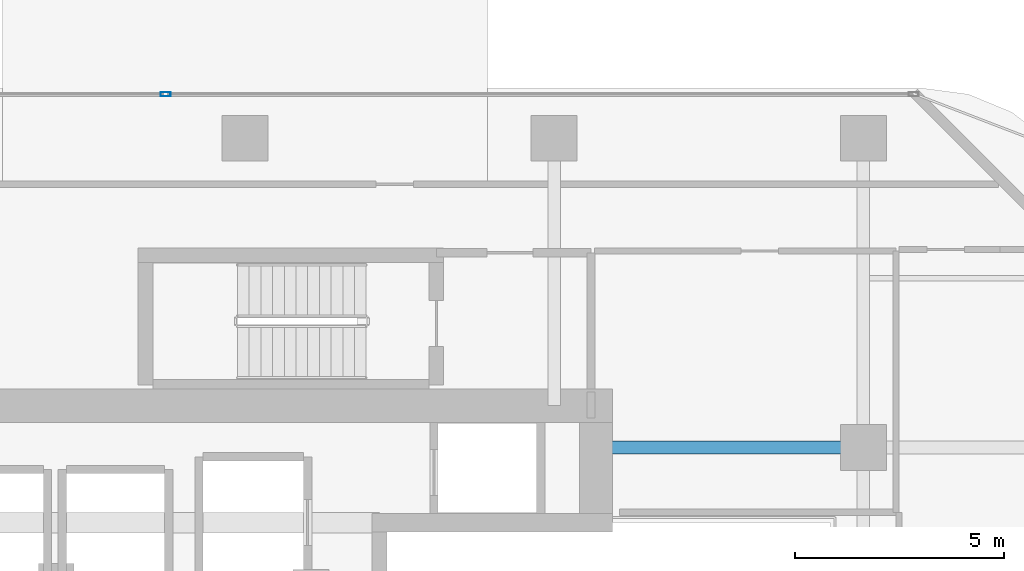
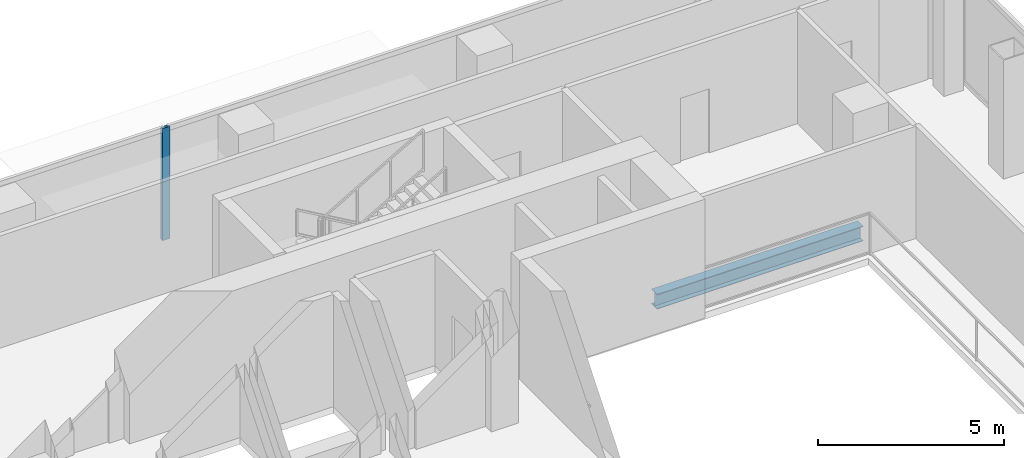
# One storey, part 13 of 23: 1 beam, 1 member, 1 element without a shape of its own.
"""IFC4 building model written with IfcOpenShell, lengths in metres."""

from ifc_helpers import new_model, si_unit, direction, frame, origin, origin_2d, place, context, subcontext, project, spatial, hollow_rectangle, i_section, extrude, material, layer, layer_set, material_profile, profile_set, type_object, element, aggregate, save


model = new_model("IFC4")

# Units and contexts
model_context = context("Model", 3, precision=1e-05, world=origin(), true_north=direction((0.0, 1.0)))
body_context = subcontext(model_context, "Body", "Model", "MODEL_VIEW")
ifc_project = project(units=[si_unit("LENGTHUNIT", "METRE"), si_unit("AREAUNIT", "SQUARE_METRE"), si_unit("VOLUMEUNIT", "CUBIC_METRE"), si_unit("PLANEANGLEUNIT", "RADIAN"), si_unit("MASSUNIT", "GRAM", prefix="KILO")], contexts=[model_context])

# Site, building, storey
site_placement = place(None, origin())
site = spatial("IfcSite", under=ifc_project, at=site_placement, CompositionType="ELEMENT")
building_placement = place(site_placement, origin())
building = spatial("IfcBuilding", under=site, at=building_placement, Name="Khorvyn Point Tower", CompositionType="ELEMENT")
storey_placement = place(building_placement, frame((0.0, 0.0, 195.300048828125)))
storey = spatial("IfcBuildingStorey", under=building, at=storey_placement, Name="L48", CompositionType="ELEMENT", Elevation=195.300048828125)

# Curtain wall, member
ifc_material_1 = material(Name="Anodised aluminium 6063-T6 and laminated Low-E glass", Category="aluminium")
ifc_layer = layer(ifc_material_1, 0.18994140625)
ifc_layer_set = layer_set([ifc_layer], Name="Stick-Built Acoustic Curtain Wall CW-SYS-03")
curtain_wall_type = type_object("IfcCurtainWallType", Name="Stick-Built Acoustic Curtain Wall CW-SYS-03", PredefinedType="NOTDEFINED", material=ifc_layer_set)
curtain_wall_placement = place(storey_placement, origin())
curtain_wall = element("IfcCurtainWall", 1, at=curtain_wall_placement, inside=storey, type_object=curtain_wall_type, Name="Curtain Wall", PredefinedType="NOTDEFINED")
ifc_material_2 = material(Name="Anodised aluminium 6063-T6", Category="aluminium")
ifc_material_profile_1 = material_profile(ifc_material_2, hollow_rectangle(XDim=0.10009765625, YDim=0.239990234375, WallThickness=0.0048828125, at=origin_2d()))
ifc_profile_set_1 = profile_set([ifc_material_profile_1], Name="Anodised aluminium 6063-T6 ALU-MUL-100x240")
member_type = type_object("IfcMemberType", Name="Anodised Aluminium 6063-T6 Mullion ALU-MUL-100x240", PredefinedType="MULLION", material=ifc_profile_set_1)
member_placement = place(storey_placement, frame((-1.89990234375, 15.85009765625, 0.0), z_axis=(0.0, 0.0, 1.0), x_axis=(0.0, 1.0, 0.0)))
member = element("IfcMember", 2, at=member_placement, type_object=member_type, Name="Transom", PredefinedType="MULLION", context=body_context, shape_type="SweptSolid", body=[
    extrude(hollow_rectangle(XDim=0.10009765625, YDim=0.239990234375, WallThickness=0.0048828125, at=origin_2d()), origin(), (0.0, 0.0, 1.0), 3.679931640625),
])
aggregate(curtain_wall, [member])

# Beam
ifc_material_3 = material(Name="Steel S355", Category="steel")
ifc_material_profile_2 = material_profile(ifc_material_3, i_section(OverallWidth=0.300048828125, OverallDepth=0.488037109375, WebThickness=0.010986328125, FlangeThickness=0.01806640625, at=origin_2d()))
ifc_profile_set_2 = profile_set([ifc_material_profile_2], Name="Steel S355 H488x300x11x18")
beam_type = type_object("IfcBeamType", Name="Steel S355 Spandrel H488x300x11x18", PredefinedType="SPANDREL", material=ifc_profile_set_2)
beam_placement = place(storey_placement, frame((8.39990234375, 7.39990234375, -0.464111328125), z_axis=(1.0, 0.0, 0.0), x_axis=(0.0, 1.0, 0.0)))
element("IfcBeam", 3, at=beam_placement, inside=storey, type_object=beam_type, Name="Beam", PredefinedType="SPANDREL", context=body_context, shape_type="SweptSolid", body=[
    extrude(i_section(OverallWidth=0.300048828125, OverallDepth=0.488037109375, WebThickness=0.010986328125, FlangeThickness=0.01806640625, at=origin_2d()), origin(), (0.0, 0.0, 1.0), 6.400146484375),
])

save(model, "model.ifc")
